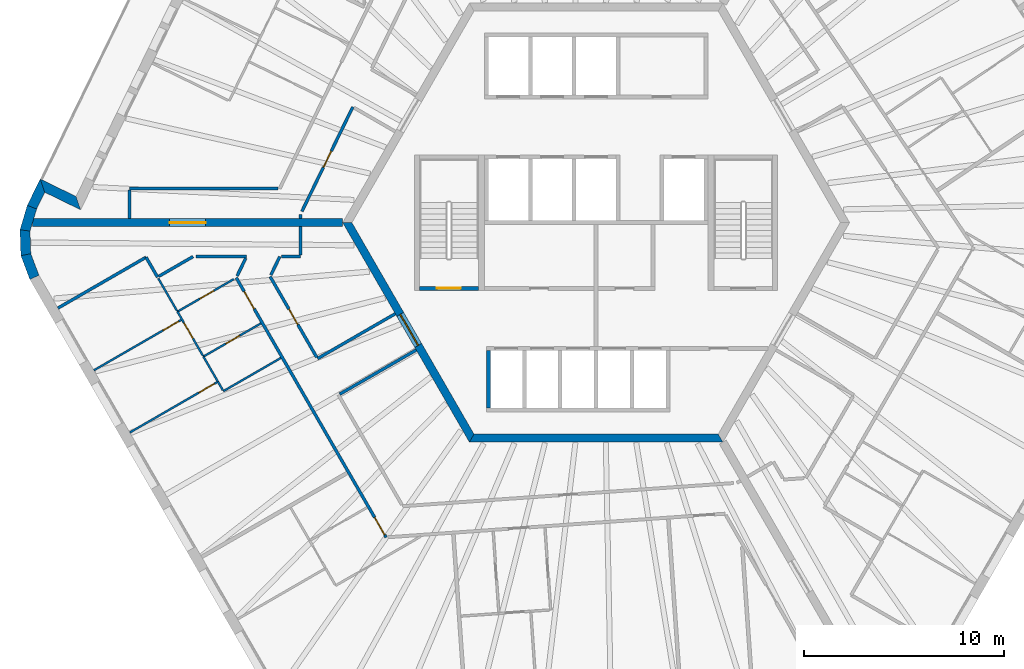
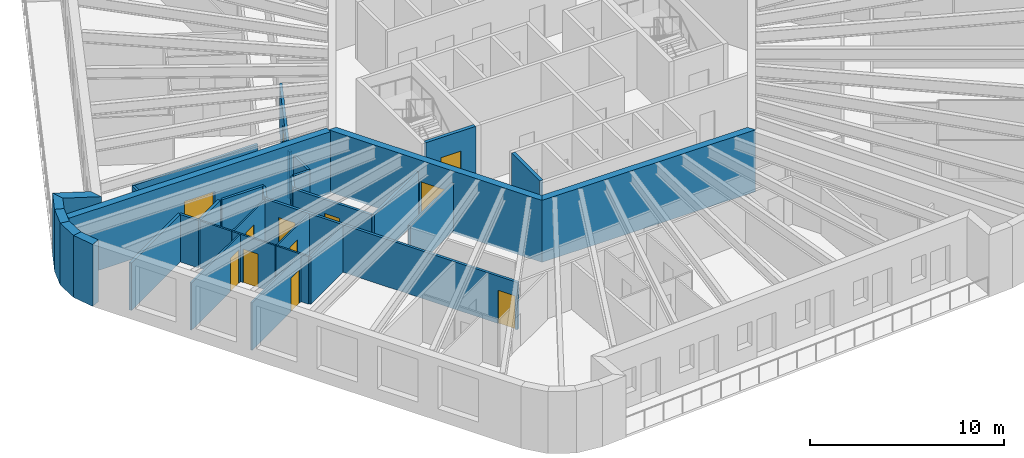
# One storey, part 4 of 12: 35 walls, 12 doors, 12 openings.
"""IFC4 building model written with IfcOpenShell, lengths in metres."""

from ifc_helpers import new_model, si_unit, direction, frame, frame_2d, origin, place, context, subcontext, project, spatial, polyline, rectangle, outline, extrude, material, layer, layer_set, type_object, element, fill, save


model = new_model("IFC4")

# Units and contexts
model_context = context("Model", 3, precision=1e-05, world=origin(), true_north=direction((0.0, 1.0)))
body_context = subcontext(model_context, "Body", "Model", "MODEL_VIEW")
ifc_project = project(units=[si_unit("LENGTHUNIT", "METRE"), si_unit("AREAUNIT", "SQUARE_METRE"), si_unit("VOLUMEUNIT", "CUBIC_METRE"), si_unit("PLANEANGLEUNIT", "RADIAN"), si_unit("MASSUNIT", "GRAM", prefix="KILO")], contexts=[model_context])

# Site, building, storey
site_placement = place(None, origin())
site = spatial("IfcSite", under=ifc_project, at=site_placement, CompositionType="ELEMENT")
building_placement = place(site_placement, origin())
building = spatial("IfcBuilding", under=site, at=building_placement, Name="Tarnside Tower", CompositionType="ELEMENT")
storey_placement = place(building_placement, frame((0.0, 0.0, 306.89990234375)))
storey = spatial("IfcBuildingStorey", under=building, at=storey_placement, Name="L74", CompositionType="ELEMENT", Elevation=306.89990234375)

# Walls
ifc_material_1 = material(Name="Gypsum board partition on steel studs", Category="steel")
ifc_layer_1 = layer(ifc_material_1, 0.10009765625)
ifc_layer_set_1 = layer_set([ifc_layer_1], Name="Bathroom wall 100")
wall_type_1 = type_object("IfcWallType", Name="Bathroom wall 100", PredefinedType="PARTITIONING", material=ifc_layer_set_1)
wall_1_placement = place(storey_placement, frame((-15.80078125, -6.782470703125, 0.0), z_axis=(0.0, 0.0, 1.0), x_axis=(-0.866033959199, -0.499985181294, 0.0)))
element("IfcWall", 1, at=wall_1_placement, inside=storey, type_object=wall_type_1, Name="Bathroom wall 24113", PredefinedType="PARTITIONING", context=body_context, shape_type="SweptSolid", body=[
    extrude(rectangle(XDim=3.32470703125, YDim=0.10009765625, at=frame_2d((1.662353515625, 0.0))), origin(), (0.0, 0.0, 1.0), 2.98779296875),
])
wall_2_placement = place(storey_placement, frame((-18.705322265625, -8.401611328125, 0.0), z_axis=(0.0, 0.0, 1.0), x_axis=(-0.499863173377, 0.866104386261, 0.0)))
element("IfcWall", 2, at=wall_2_placement, inside=storey, type_object=wall_type_1, Name="Bathroom wall 24114", PredefinedType="PARTITIONING", context=body_context, shape_type="SweptSolid", body=[
    extrude(rectangle(XDim=0.500732421875, YDim=0.10009765625, at=frame_2d((0.25048828125, 0.0))), origin(), (0.0, 0.0, 1.0), 2.98779296875),
])

# Wall, opening, door
wall_3_placement = place(storey_placement, frame((-19.68017578125, -6.712890625, 0.0), z_axis=(0.0, 0.0, 1.0), x_axis=(0.866002163101, 0.500040251884, 0.0)))
wall_3 = element("IfcWall", 3, at=wall_3_placement, inside=storey, type_object=wall_type_1, Name="Bathroom wall 24118", PredefinedType="PARTITIONING", context=body_context, shape_type="SweptSolid", body=[
    extrude(rectangle(XDim=3.324951171875, YDim=0.10009765625, at=frame_2d((1.66259765625, 0.0))), origin(), (0.0, 0.0, 1.0), 2.98779296875),
])
opening_1_placement = place(wall_3_placement, frame((1.300048828125, 0.0, 0.0)))
opening_1 = element("IfcOpeningElement", 4, at=opening_1_placement, cuts=wall_3, Name="Opening D-B1", PredefinedType="OPENING", context=body_context, shape_type="SweptSolid", body=[
    extrude(rectangle(XDim=0.800048828125, YDim=2.10009765625, at=frame_2d((0.39990234375, 1.050048828125))), frame((0.0, 0.06005859375, 0.0), z_axis=(0.0, -1.0, 0.0), x_axis=(1.0, 0.0, 0.0)), (0.0, 0.0, 1.0), 0.1201171875),
])
ifc_material_2 = material(Name="Timber door leaf", Category="wood")
door_type_1 = type_object("IfcDoorType", Name="Bathroom door 800", OperationType="NOTDEFINED", PredefinedType="DOOR", material=ifc_material_2)
door_1_placement = place(opening_1_placement, origin())
door_1 = element("IfcDoor", 5, at=door_1_placement, inside=storey, type_object=door_type_1, Name="Bathroom door 24023", OperationType="SINGLE_SWING_LEFT", OverallHeight=2.10009765625, OverallWidth=0.800048828125, PredefinedType="DOOR", context=body_context, shape_type="SweptSolid", body=[
    extrude(rectangle(XDim=0.800048828125, YDim=2.10009765625, at=frame_2d((0.39990234375, 1.050048828125))), frame((0.0, 0.02490234375, 0.0), z_axis=(0.0, -1.0, 0.0), x_axis=(1.0, 0.0, 0.0)), (0.0, 0.0, 1.0), 0.050048828125),
])
fill(opening_1, door_1)

wall_4_placement = place(storey_placement, frame((-18.15185546875, -2.828125, 0.0), z_axis=(0.0, 0.0, 1.0), x_axis=(-0.866012548765, -0.500022264885, 0.0)))
wall_4 = element("IfcWall", 6, at=wall_4_placement, inside=storey, type_object=wall_type_1, Name="Bathroom wall 24121", PredefinedType="PARTITIONING", context=body_context, shape_type="SweptSolid", body=[
    extrude(rectangle(XDim=3.265869140625, YDim=0.10009765625, at=frame_2d((1.6328125, 0.0))), origin(), (0.0, 0.0, 1.0), 2.98779296875),
])
opening_2_placement = place(wall_4_placement, frame((1.165771484375, 0.0, 0.0)))
opening_2 = element("IfcOpeningElement", 7, at=opening_2_placement, cuts=wall_4, Name="Opening D-B1", PredefinedType="OPENING", context=body_context, shape_type="SweptSolid", body=[
    extrude(rectangle(XDim=0.800048828125, YDim=2.10009765625, at=frame_2d((0.39990234375, 1.050048828125))), frame((0.0, 0.06005859375, 0.0), z_axis=(0.0, -1.0, 0.0), x_axis=(1.0, 0.0, 0.0)), (0.0, 0.0, 1.0), 0.1201171875),
])
door_2_placement = place(opening_2_placement, origin())
door_2 = element("IfcDoor", 8, at=door_2_placement, inside=storey, type_object=door_type_1, Name="Bathroom door 24032", OperationType="SINGLE_SWING_RIGHT", OverallHeight=2.10009765625, OverallWidth=0.800048828125, PredefinedType="DOOR", context=body_context, shape_type="SweptSolid", body=[
    extrude(rectangle(XDim=0.800048828125, YDim=2.10009765625, at=frame_2d((0.39990234375, 1.050048828125))), frame((0.0, 0.02490234375, 0.0), z_axis=(0.0, -1.0, 0.0), x_axis=(1.0, 0.0, 0.0)), (0.0, 0.0, 1.0), 0.050048828125),
])
fill(opening_2, door_2)

# Walls
wall_5_placement = place(storey_placement, frame((-19.68115234375, -6.711181640625, 0.0), z_axis=(0.0, 0.0, 1.0), x_axis=(0.499969679245, -0.866042908773, 0.0)))
element("IfcWall", 9, at=wall_5_placement, inside=storey, type_object=wall_type_1, Name="Bathroom wall 24122", PredefinedType="PARTITIONING", context=body_context, shape_type="SweptSolid", body=[
    extrude(rectangle(XDim=1.453125, YDim=0.10009765625, at=frame_2d((0.7265625, 0.0))), origin(), (0.0, 0.0, 1.0), 2.98779296875),
])
wall_6_placement = place(storey_placement, frame((-21.005126953125, -4.41796875, 0.0), z_axis=(0.0, 0.0, 1.0), x_axis=(-0.500004234368, 0.866022959057, 0.0)))
element("IfcWall", 10, at=wall_6_placement, inside=storey, type_object=wall_type_1, Name="Bathroom wall 24124", PredefinedType="PARTITIONING", context=body_context, shape_type="SweptSolid", body=[
    extrude(rectangle(XDim=1.875, YDim=0.10009765625, at=frame_2d((0.9375, 0.0))), origin(), (0.0, 0.0, 1.0), 2.98779296875),
])

# Wall, opening, door
ifc_material_3 = material(Name="Concrete C60/75", Category="concrete")
ifc_layer_2 = layer(ifc_material_3, 0.39990234375)
ifc_layer_set_2 = layer_set([ifc_layer_2], Name="Core wall Z3 400 C60/75")
wall_type_2 = type_object("IfcWallType", Name="Core wall Z3 400 C60/75", PredefinedType="SHEAR", material=ifc_layer_set_2)
wall_7_placement = place(storey_placement, frame((-12.470703125, 0.0, -0.14990234375), z_axis=(0.0, 0.0, 1.0), x_axis=(0.499996419489, -0.866027470984, 0.0)))
wall_7 = element("IfcWall", 11, at=wall_7_placement, inside=storey, type_object=wall_type_2, Name="L74 core wall face 3", PredefinedType="SHEAR", context=body_context, shape_type="SweptSolid", body=[
    extrude(outline(polyline([(-0.115478515625, -0.199951171875), (12.586181640625, -0.199951171875), (12.355224609375, 0.199951171875), (0.115478515625, 0.199951171875), (-0.115478515625, -0.199951171875)])), origin(), (0.0, 0.0, 1.0), 3.89990234375),
])
opening_3_placement = place(wall_7_placement, frame((5.306396484375, 0.0, 0.14990234375)))
opening_3 = element("IfcOpeningElement", 12, at=opening_3_placement, cuts=wall_7, Name="Opening CD-FFL", PredefinedType="OPENING", context=body_context, shape_type="SweptSolid", body=[
    extrude(rectangle(XDim=1.800048828125, YDim=2.39990234375, at=frame_2d((0.89990234375, 1.199951171875))), frame((0.0, 0.2099609375, 0.0), z_axis=(0.0, -1.0, 0.0), x_axis=(1.0, 0.0, 0.0)), (0.0, 0.0, 1.0), 0.419921875),
])
ifc_material_4 = material(Name="Steel fire door", Category="steel")
door_type_2 = type_object("IfcDoorType", Name="Firefighting lobby double door FD60S 1800x2400", OperationType="NOTDEFINED", PredefinedType="DOOR", material=ifc_material_4)
door_3_placement = place(opening_3_placement, origin())
door_3 = element("IfcDoor", 13, at=door_3_placement, inside=storey, type_object=door_type_2, Name="L74 core door P3", OperationType="DOUBLE_DOOR_SINGLE_SWING", OverallHeight=2.39990234375, OverallWidth=1.800048828125, PredefinedType="DOOR", context=body_context, shape_type="SweptSolid", body=[
    extrude(rectangle(XDim=1.800048828125, YDim=2.39990234375, at=frame_2d((0.89990234375, 1.199951171875))), frame((0.0, 0.02490234375, 0.0), z_axis=(0.0, -1.0, 0.0), x_axis=(1.0, 0.0, 0.0)), (0.0, 0.0, 1.0), 0.050048828125),
])
fill(opening_3, door_3)

# Wall
wall_8_placement = place(storey_placement, frame((-6.2353515625, -10.800048828125, -0.14990234375), z_axis=(0.0, 0.0, 1.0), x_axis=(1.0, 0.0, 0.0)))
element("IfcWall", 14, at=wall_8_placement, inside=storey, type_object=wall_type_2, Name="L74 core wall face 4", PredefinedType="SHEAR", context=body_context, shape_type="SweptSolid", body=[
    extrude(outline(polyline([(-0.115478515625, -0.199951171875), (12.586181640625, -0.199951171875), (12.355224609375, 0.199951171875), (0.115478515625, 0.199951171875), (-0.115478515625, -0.199951171875)])), origin(), (0.0, 0.0, 1.0), 3.89990234375),
])

# Wall, opening, door
wall_9_placement = place(storey_placement, frame((-12.70166015625, 0.0, -0.14990234375), z_axis=(0.0, 0.0, 1.0), x_axis=(-1.0, 0.0, 0.0)))
wall_9 = element("IfcWall", 15, at=wall_9_placement, inside=storey, type_object=wall_type_2, Name="L74 spine wall 2", PredefinedType="SHEAR", context=body_context, shape_type="SweptSolid", body=[
    extrude(rectangle(XDim=15.54443359375, YDim=0.39990234375, at=frame_2d((7.772216796875, 0.0))), origin(), (0.0, 0.0, 1.0), 3.89990234375),
])
opening_4_placement = place(wall_9_placement, frame((6.872314453125, 0.0, 0.14990234375)))
opening_4 = element("IfcOpeningElement", 16, at=opening_4_placement, cuts=wall_9, Name="Opening CD-SPN", PredefinedType="OPENING", context=body_context, shape_type="SweptSolid", body=[
    extrude(rectangle(XDim=1.800048828125, YDim=2.39990234375, at=frame_2d((0.89990234375, 1.199951171875))), frame((0.0, 0.2099609375, 0.0), z_axis=(0.0, -1.0, 0.0), x_axis=(1.0, 0.0, 0.0)), (0.0, 0.0, 1.0), 0.419921875),
])
door_type_3 = type_object("IfcDoorType", Name="Spine passage double door FD60 1800x2400", OperationType="NOTDEFINED", PredefinedType="DOOR", material=ifc_material_4)
door_4_placement = place(opening_4_placement, origin())
door_4 = element("IfcDoor", 17, at=door_4_placement, inside=storey, type_object=door_type_3, Name="L74 spine passage door 2", OperationType="DOUBLE_DOOR_SINGLE_SWING", OverallHeight=2.39990234375, OverallWidth=1.800048828125, PredefinedType="DOOR", context=body_context, shape_type="SweptSolid", body=[
    extrude(rectangle(XDim=1.800048828125, YDim=2.39990234375, at=frame_2d((0.89990234375, 1.199951171875))), frame((0.0, 0.02490234375, 0.0), z_axis=(0.0, -1.0, 0.0), x_axis=(1.0, 0.0, 0.0)), (0.0, 0.0, 1.0), 0.050048828125),
])
fill(opening_4, door_4)

# Walls
ifc_layer_3 = layer(ifc_material_1, 0.14990234375)
ifc_layer_set_3 = layer_set([ifc_layer_3], Name="Corridor wall 150 EI 60")
wall_type_3 = type_object("IfcWallType", Name="Corridor wall 150 EI 60", PredefinedType="PARTITIONING", material=ifc_layer_set_3)
wall_10_placement = place(storey_placement, frame((-15.943359375, 1.699951171875, 0.0), z_axis=(0.0, 0.0, 1.0), x_axis=(-1.0, 0.0, 0.0)))
element("IfcWall", 18, at=wall_10_placement, inside=storey, type_object=wall_type_3, Name="Corridor wall 24013", PredefinedType="PARTITIONING", context=body_context, shape_type="SweptSolid", body=[
    extrude(rectangle(XDim=7.4306640625, YDim=0.14990234375, at=frame_2d((3.71533203125, 0.0))), origin(), (0.0, 0.0, 1.0), 2.98779296875),
])
wall_11_placement = place(storey_placement, frame((-23.3740234375, 1.625, 0.0), z_axis=(0.0, 0.0, 1.0), x_axis=(0.0, -1.0, 0.0)))
element("IfcWall", 19, at=wall_11_placement, inside=storey, type_object=wall_type_3, Name="Corridor wall 24014", PredefinedType="PARTITIONING", context=body_context, shape_type="SweptSolid", body=[
    extrude(rectangle(XDim=1.425048828125, YDim=0.14990234375, at=frame_2d((0.71240234375, 0.0))), origin(), (0.0, 0.0, 1.0), 2.98779296875),
])
wall_12_placement = place(storey_placement, frame((-14.820068359375, 0.199951171875, 0.0), z_axis=(0.0, 0.0, 1.0), x_axis=(0.0, 1.0, 0.0)))
element("IfcWall", 20, at=wall_12_placement, inside=storey, type_object=wall_type_3, Name="Corridor wall 24023", PredefinedType="PARTITIONING", context=body_context, shape_type="SweptSolid", body=[
    extrude(rectangle(XDim=0.210205078125, YDim=0.14990234375, at=frame_2d((0.10498046875, 0.0))), origin(), (0.0, 0.0, 1.0), 2.98779296875),
])

# Wall, opening, door
wall_13_placement = place(storey_placement, frame((-14.7451171875, 0.563720703125, 0.0), z_axis=(0.0, 0.0, 1.0), x_axis=(0.438348416625, 0.898805132185, 0.0)))
wall_13 = element("IfcWall", 21, at=wall_13_placement, inside=storey, type_object=wall_type_3, Name="Corridor wall 24024", PredefinedType="PARTITIONING", context=body_context, shape_type="SweptSolid", body=[
    extrude(rectangle(XDim=5.819580078125, YDim=0.14990234375, at=frame_2d((2.90966796875, 0.0))), origin(), (0.0, 0.0, 1.0), 2.98779296875),
])
opening_5_placement = place(wall_13_placement, frame((2.459716796875, 0.0, 0.0)))
opening_5 = element("IfcOpeningElement", 22, at=opening_5_placement, cuts=wall_13, Name="Opening D-S1", PredefinedType="OPENING", context=body_context, shape_type="SweptSolid", body=[
    extrude(rectangle(XDim=0.89990234375, YDim=2.10009765625, at=frame_2d((0.449951171875, 1.050048828125))), frame((0.0, 0.0849609375, 0.0), z_axis=(0.0, -1.0, 0.0), x_axis=(1.0, 0.0, 0.0)), (0.0, 0.0, 1.0), 0.169921875),
])
door_type_4 = type_object("IfcDoorType", Name="Service room door 900 FD30S", OperationType="NOTDEFINED", PredefinedType="DOOR", material=ifc_material_2)
door_5_placement = place(opening_5_placement, origin())
door_5 = element("IfcDoor", 23, at=door_5_placement, inside=storey, type_object=door_type_4, Name="Service door 24064", OperationType="SINGLE_SWING_RIGHT", OverallHeight=2.10009765625, OverallWidth=0.89990234375, PredefinedType="DOOR", context=body_context, shape_type="SweptSolid", body=[
    extrude(rectangle(XDim=0.89990234375, YDim=2.10009765625, at=frame_2d((0.449951171875, 1.050048828125))), frame((0.0, 0.02490234375, 0.0), z_axis=(0.0, -1.0, 0.0), x_axis=(1.0, 0.0, 0.0)), (0.0, 0.0, 1.0), 0.050048828125),
])
fill(opening_5, door_5)

# Wall, openings, doors
wall_14_placement = place(storey_placement, frame((-18.03564453125, -2.76123046875, 0.0), z_axis=(0.0, 0.0, 1.0), x_axis=(0.499996279807, -0.866027551628, 0.0)))
wall_14 = element("IfcWall", 24, at=wall_14_placement, inside=storey, type_object=wall_type_3, Name="Corridor wall 24026", PredefinedType="PARTITIONING", context=body_context, shape_type="SweptSolid", body=[
    extrude(rectangle(XDim=15.02392578125, YDim=0.14990234375, at=frame_2d((7.511962890625, 0.0))), origin(), (0.0, 0.0, 1.0), 2.98779296875),
])
opening_6_placement = place(wall_14_placement, frame((0.800048828125, 0.0, 0.0)))
opening_6 = element("IfcOpeningElement", 25, at=opening_6_placement, cuts=wall_14, Name="Opening D-E1", PredefinedType="OPENING", context=body_context, shape_type="SweptSolid", body=[
    extrude(rectangle(XDim=1.0, YDim=2.10009765625, at=frame_2d((0.5, 1.050048828125))), frame((0.0, 0.0849609375, 0.0), z_axis=(0.0, -1.0, 0.0), x_axis=(1.0, 0.0, 0.0)), (0.0, 0.0, 1.0), 0.169921875),
])
opening_7_placement = place(wall_14_placement, frame((13.874267578125, 0.0, 0.0)))
opening_7 = element("IfcOpeningElement", 26, at=opening_7_placement, cuts=wall_14, Name="Opening D-E1", PredefinedType="OPENING", context=body_context, shape_type="SweptSolid", body=[
    extrude(rectangle(XDim=1.0, YDim=2.10009765625, at=frame_2d((0.5, 1.050048828125))), frame((0.0, 0.0849609375, 0.0), z_axis=(0.0, -1.0, 0.0), x_axis=(1.0, 0.0, 0.0)), (0.0, 0.0, 1.0), 0.169921875),
])
door_type_5 = type_object("IfcDoorType", Name="Unit entrance door 1000 FD30S", OperationType="NOTDEFINED", PredefinedType="DOOR", material=ifc_material_2)
door_6_placement = place(opening_6_placement, origin())
door_6 = element("IfcDoor", 27, at=door_6_placement, inside=storey, type_object=door_type_5, Name="Unit door 24022", OperationType="SINGLE_SWING_RIGHT", OverallHeight=2.10009765625, OverallWidth=1.0, PredefinedType="DOOR", context=body_context, shape_type="SweptSolid", body=[
    extrude(rectangle(XDim=1.0, YDim=2.10009765625, at=frame_2d((0.5, 1.050048828125))), frame((0.0, 0.02490234375, 0.0), z_axis=(0.0, -1.0, 0.0), x_axis=(1.0, 0.0, 0.0)), (0.0, 0.0, 1.0), 0.050048828125),
])
fill(opening_6, door_6)
door_7_placement = place(opening_7_placement, origin())
door_7 = element("IfcDoor", 28, at=door_7_placement, inside=storey, type_object=door_type_5, Name="Unit door 24033", OperationType="SINGLE_SWING_LEFT", OverallHeight=2.10009765625, OverallWidth=1.0, PredefinedType="DOOR", context=body_context, shape_type="SweptSolid", body=[
    extrude(rectangle(XDim=1.0, YDim=2.10009765625, at=frame_2d((0.5, 1.050048828125))), frame((0.0, 0.02490234375, 0.0), z_axis=(0.0, -1.0, 0.0), x_axis=(1.0, 0.0, 0.0)), (0.0, 0.0, 1.0), 0.050048828125),
])
fill(opening_7, door_7)

# Walls
wall_15_placement = place(storey_placement, frame((-26.97119140625, -4.284423828125, 0.0), z_axis=(0.0, 0.0, 1.0), x_axis=(0.866024511559, 0.500001545377, 0.0)))
element("IfcWall", 29, at=wall_15_placement, inside=storey, type_object=wall_type_3, Name="Corridor wall 24029", PredefinedType="PARTITIONING", context=body_context, shape_type="SweptSolid", body=[
    extrude(rectangle(XDim=5.0986328125, YDim=0.14990234375, at=frame_2d((2.54931640625, 0.0))), origin(), (0.0, 0.0, 1.0), 2.98779296875),
])
wall_16_placement = place(storey_placement, frame((-22.553955078125, -1.735595703125, 0.0), z_axis=(0.0, 0.0, 1.0), x_axis=(0.500040764516, -0.866001867101, 0.0)))
element("IfcWall", 30, at=wall_16_placement, inside=storey, type_object=wall_type_3, Name="Corridor wall 24030", PredefinedType="PARTITIONING", context=body_context, shape_type="SweptSolid", body=[
    extrude(rectangle(XDim=1.15087890625, YDim=0.14990234375, at=frame_2d((0.575439453125, 0.0))), origin(), (0.0, 0.0, 1.0), 2.98779296875),
])
wall_17_placement = place(storey_placement, frame((-21.915283203125, -2.691650390625, 0.0), z_axis=(0.0, 0.0, 1.0), x_axis=(0.866007234284, 0.500031469177, 0.0)))
element("IfcWall", 31, at=wall_17_placement, inside=storey, type_object=wall_type_3, Name="Corridor wall 24031", PredefinedType="PARTITIONING", context=body_context, shape_type="SweptSolid", body=[
    extrude(rectangle(XDim=1.983154296875, YDim=0.14990234375, at=frame_2d((0.99169921875, 0.0))), origin(), (0.0, 0.0, 1.0), 2.98779296875),
])
wall_18_placement = place(storey_placement, frame((-20.0478515625, -1.699951171875, 0.0), z_axis=(0.0, 0.0, 1.0), x_axis=(1.0, 0.0, 0.0)))
element("IfcWall", 32, at=wall_18_placement, inside=storey, type_object=wall_type_3, Name="Corridor wall 24032", PredefinedType="PARTITIONING", context=body_context, shape_type="SweptSolid", body=[
    extrude(rectangle(XDim=2.52978515625, YDim=0.14990234375, at=frame_2d((1.264892578125, 0.0))), origin(), (0.0, 0.0, 1.0), 2.98779296875),
])
wall_19_placement = place(storey_placement, frame((-17.5546875, -1.77490234375, 0.0), z_axis=(0.0, 0.0, 1.0), x_axis=(-0.438366307753, -0.898796406439, 0.0)))
element("IfcWall", 33, at=wall_19_placement, inside=storey, type_object=wall_type_3, Name="Corridor wall 24033", PredefinedType="PARTITIONING", context=body_context, shape_type="SweptSolid", body=[
    extrude(rectangle(XDim=1.0068359375, YDim=0.14990234375, at=frame_2d((0.50341796875, 0.0))), origin(), (0.0, 0.0, 1.0), 2.98779296875),
])
wall_20_placement = place(storey_placement, frame((-10.065673828125, -4.565673828125, 0.0), z_axis=(0.0, 0.0, 1.0), x_axis=(-0.866031096941, -0.499990139034, 0.0)))
element("IfcWall", 34, at=wall_20_placement, inside=storey, type_object=wall_type_3, Name="Corridor wall 24045", PredefinedType="PARTITIONING", context=body_context, shape_type="SweptSolid", body=[
    extrude(rectangle(XDim=4.5, YDim=0.14990234375, at=frame_2d((2.25, 0.0))), origin(), (0.0, 0.0, 1.0), 2.98779296875),
])

# Wall, opening, door
wall_21_placement = place(storey_placement, frame((-14.000244140625, -6.750732421875, 0.0), z_axis=(0.0, 0.0, 1.0), x_axis=(-0.500008739126, 0.866020358189, 0.0)))
wall_21 = element("IfcWall", 35, at=wall_21_placement, inside=storey, type_object=wall_type_3, Name="Corridor wall 24046", PredefinedType="PARTITIONING", context=body_context, shape_type="SweptSolid", body=[
    extrude(rectangle(XDim=4.67529296875, YDim=0.14990234375, at=frame_2d((2.337646484375, 0.0))), origin(), (0.0, 0.0, 1.0), 2.98779296875),
])
opening_8_placement = place(wall_21_placement, frame((1.8876953125, 0.0, 0.0)))
opening_8 = element("IfcOpeningElement", 36, at=opening_8_placement, cuts=wall_21, Name="Opening D-S1", PredefinedType="OPENING", context=body_context, shape_type="SweptSolid", body=[
    extrude(rectangle(XDim=0.89990234375, YDim=2.10009765625, at=frame_2d((0.449951171875, 1.050048828125))), frame((0.0, 0.0849609375, 0.0), z_axis=(0.0, -1.0, 0.0), x_axis=(1.0, 0.0, 0.0)), (0.0, 0.0, 1.0), 0.169921875),
])
door_8_placement = place(opening_8_placement, origin())
door_8 = element("IfcDoor", 37, at=door_8_placement, inside=storey, type_object=door_type_4, Name="Service door 24065", OperationType="SINGLE_SWING_RIGHT", OverallHeight=2.10009765625, OverallWidth=0.89990234375, PredefinedType="DOOR", context=body_context, shape_type="SweptSolid", body=[
    extrude(rectangle(XDim=0.89990234375, YDim=2.10009765625, at=frame_2d((0.449951171875, 1.050048828125))), frame((0.0, 0.02490234375, 0.0), z_axis=(0.0, -1.0, 0.0), x_axis=(1.0, 0.0, 0.0)), (0.0, 0.0, 1.0), 0.050048828125),
])
fill(opening_8, door_8)

# Walls
wall_22_placement = place(storey_placement, frame((-16.29833984375, -2.62060546875, 0.0), z_axis=(0.0, 0.0, 1.0), x_axis=(0.438325013788, 0.898816545402, 0.0)))
element("IfcWall", 38, at=wall_22_placement, inside=storey, type_object=wall_type_3, Name="Corridor wall 24047", PredefinedType="PARTITIONING", context=body_context, shape_type="SweptSolid", body=[
    extrude(rectangle(XDim=1.0244140625, YDim=0.14990234375, at=frame_2d((0.51220703125, 0.0))), origin(), (0.0, 0.0, 1.0), 2.98779296875),
])
wall_23_placement = place(storey_placement, frame((-15.765869140625, -1.699951171875, 0.0), z_axis=(0.0, 0.0, 1.0), x_axis=(1.0, 0.0, 0.0)))
element("IfcWall", 39, at=wall_23_placement, inside=storey, type_object=wall_type_3, Name="Corridor wall 24048", PredefinedType="PARTITIONING", context=body_context, shape_type="SweptSolid", body=[
    extrude(rectangle(XDim=0.94580078125, YDim=0.14990234375, at=frame_2d((0.472900390625, 0.0))), origin(), (0.0, 0.0, 1.0), 2.98779296875),
])
wall_24_placement = place(storey_placement, frame((-14.820068359375, -1.625, 0.0), z_axis=(0.0, 0.0, 1.0), x_axis=(0.0, 1.0, 0.0)))
element("IfcWall", 40, at=wall_24_placement, inside=storey, type_object=wall_type_3, Name="Corridor wall 24049", PredefinedType="PARTITIONING", context=body_context, shape_type="SweptSolid", body=[
    extrude(rectangle(XDim=1.425048828125, YDim=0.14990234375, at=frame_2d((0.71240234375, 0.0))), origin(), (0.0, 0.0, 1.0), 2.98779296875),
])
wall_25_placement = place(storey_placement, frame((-12.847900390625, -8.596923828125, 0.0), z_axis=(0.0, 0.0, 1.0), x_axis=(0.866017452598, 0.500013771606, 0.0)))
element("IfcWall", 41, at=wall_25_placement, inside=storey, type_object=wall_type_3, Name="Corridor wall 24053", PredefinedType="PARTITIONING", context=body_context, shape_type="SweptSolid", body=[
    extrude(rectangle(XDim=4.42529296875, YDim=0.14990234375, at=frame_2d((2.212646484375, 0.0))), origin(), (0.0, 0.0, 1.0), 2.98779296875),
])
ifc_material_5 = material(Name="Concrete C40/50", Category="concrete")
ifc_layer_4 = layer(ifc_material_5, 0.199951171875)
ifc_layer_set_4 = layer_set([ifc_layer_4], Name="Lift shaft wall 200 C40/50")
wall_type_4 = type_object("IfcWallType", Name="Lift shaft wall 200 C40/50", PredefinedType="SHEAR", material=ifc_layer_set_4)
wall_26_placement = place(storey_placement, frame((-5.39990234375, -9.300048828125, -0.25), z_axis=(0.0, 0.0, 1.0), x_axis=(0.0, 1.0, 0.0)))
element("IfcWall", 42, at=wall_26_placement, inside=storey, type_object=wall_type_4, Name="L74 lift shaft partition R41", PredefinedType="SHEAR", context=body_context, shape_type="SweptSolid", body=[
    extrude(rectangle(XDim=2.900146484375, YDim=0.199951171875, at=frame_2d((1.4501953125, 0.0))), origin(), (0.0, 0.0, 1.0), 3.900146484375),
])

# Wall, opening, door
wall_27_placement = place(storey_placement, frame((-8.85009765625, -3.300048828125, -0.25), z_axis=(0.0, 0.0, 1.0), x_axis=(1.0, 0.0, 0.0)))
wall_27 = element("IfcWall", 43, at=wall_27_placement, inside=storey, type_object=wall_type_4, Name="L74 stair 2 enclosure cap wall s", PredefinedType="SHEAR", context=body_context, shape_type="SweptSolid", body=[
    extrude(rectangle(XDim=2.9501953125, YDim=0.199951171875, at=frame_2d((1.47509765625, 0.0))), origin(), (0.0, 0.0, 1.0), 3.900146484375),
])
opening_9_placement = place(wall_27_placement, frame((0.875, 0.0, 0.25)))
opening_9 = element("IfcOpeningElement", 44, at=opening_9_placement, cuts=wall_27, Name="Opening CD-STR", PredefinedType="OPENING", context=body_context, shape_type="SweptSolid", body=[
    extrude(rectangle(XDim=1.199951171875, YDim=2.39990234375, at=frame_2d((0.60009765625, 1.199951171875))), frame((0.0, 0.10986328125, 0.0), z_axis=(0.0, -1.0, 0.0), x_axis=(1.0, 0.0, 0.0)), (0.0, 0.0, 1.0), 0.219970703125),
])
door_type_6 = type_object("IfcDoorType", Name="Stair door FD60S 1200x2400", OperationType="NOTDEFINED", PredefinedType="DOOR", material=ifc_material_4)
door_9_placement = place(opening_9_placement, origin())
door_9 = element("IfcDoor", 45, at=door_9_placement, inside=storey, type_object=door_type_6, Name="L74 stair 2 door", OperationType="SINGLE_SWING_LEFT", OverallHeight=2.39990234375, OverallWidth=1.199951171875, PredefinedType="DOOR", context=body_context, shape_type="SweptSolid", body=[
    extrude(rectangle(XDim=1.199951171875, YDim=2.39990234375, at=frame_2d((0.60009765625, 1.199951171875))), frame((0.0, 0.02490234375, 0.0), z_axis=(0.0, -1.0, 0.0), x_axis=(1.0, 0.0, 0.0)), (0.0, 0.0, 1.0), 0.050048828125),
])
fill(opening_9, door_9)

# Walls
ifc_material_6 = material(Name="Dark zinc cladding")
ifc_layer_5 = layer(ifc_material_6, 0.10205078125)
ifc_material_7 = material(Name="Concrete C60/75 precast", Category="concrete")
ifc_layer_6 = layer(ifc_material_7, 0.298095703125)
ifc_material_8 = material(Name="Mineral wool insulation")
ifc_layer_7 = layer(ifc_material_8, 0.10009765625)
ifc_layer_set_5 = layer_set([ifc_layer_5, ifc_layer_6, ifc_layer_7], Name="Loggia wall 500 zinc faced")
wall_type_5 = type_object("IfcWallType", Name="Loggia wall 500 zinc faced", PredefinedType="SOLIDWALL", material=ifc_layer_set_5)
wall_28_placement = place(storey_placement, frame((-25.9482421875, 0.97607421875, -0.14990234375), z_axis=(0.0, 0.0, 1.0), x_axis=(-0.898802465371, 0.438353884714, 0.0)))
element("IfcWall", 46, at=wall_28_placement, inside=storey, type_object=wall_type_5, Name="Tube wall L74 F2 return 07", PredefinedType="SOLIDWALL", context=body_context, shape_type="SweptSolid", body=[
    extrude(outline(polyline([(0.25, -0.25), (2.25, -0.25), (1.75, 0.25), (-0.25, 0.25), (0.25, -0.25)])), origin(), (0.0, 0.0, 1.0), 3.89990234375),
])
wall_29_placement = place(storey_placement, frame((-27.745849609375, 1.852783203125, -0.14990234375), z_axis=(0.0, 0.0, 1.0), x_axis=(-0.438319390103, -0.898819287877, 0.0)))
element("IfcWall", 47, at=wall_29_placement, inside=storey, type_object=wall_type_5, Name="Tube wall L74 F2 stub 08", PredefinedType="SOLIDWALL", context=body_context, shape_type="SweptSolid", body=[
    extrude(outline(polyline([(-0.25, -0.25), (1.22021484375, -0.25), (1.17919921875, 0.25), (0.25, 0.25), (-0.25, -0.25)])), origin(), (0.0, 0.0, 1.0), 3.89990234375),
])

# Wall, opening, door
ifc_layer_8 = layer(ifc_material_1, 0.10009765625)
ifc_layer_set_6 = layer_set([ifc_layer_8], Name="Partition 100")
wall_type_6 = type_object("IfcWallType", Name="Partition 100", PredefinedType="PARTITIONING", material=ifc_layer_set_6)
wall_30_placement = place(storey_placement, frame((-18.997802734375, -7.994873046875, 0.0), z_axis=(0.0, 0.0, 1.0), x_axis=(-0.866039067339, -0.499976333282, 0.0)))
wall_30 = element("IfcWall", 48, at=wall_30_placement, inside=storey, type_object=wall_type_6, Name="Partition wall 24115", PredefinedType="PARTITIONING", context=body_context, shape_type="SweptSolid", body=[
    extrude(rectangle(XDim=5.050048828125, YDim=0.10009765625, at=frame_2d((2.52490234375, 0.0))), origin(), (0.0, 0.0, 1.0), 2.98779296875),
])
opening_10_placement = place(wall_30_placement, frame((0.14990234375, 0.0, 0.0)))
opening_10 = element("IfcOpeningElement", 49, at=opening_10_placement, cuts=wall_30, Name="Opening D-I1", PredefinedType="OPENING", context=body_context, shape_type="SweptSolid", body=[
    extrude(rectangle(XDim=0.89990234375, YDim=2.10009765625, at=frame_2d((0.449951171875, 1.050048828125))), frame((0.0, 0.06005859375, 0.0), z_axis=(0.0, -1.0, 0.0), x_axis=(1.0, 0.0, 0.0)), (0.0, 0.0, 1.0), 0.1201171875),
])
door_type_7 = type_object("IfcDoorType", Name="Internal door 900", OperationType="NOTDEFINED", PredefinedType="DOOR", material=ifc_material_2)
door_10_placement = place(opening_10_placement, origin())
door_10 = element("IfcDoor", 50, at=door_10_placement, inside=storey, type_object=door_type_7, Name="Internal door 24031", OperationType="SINGLE_SWING_RIGHT", OverallHeight=2.10009765625, OverallWidth=0.89990234375, PredefinedType="DOOR", context=body_context, shape_type="SweptSolid", body=[
    extrude(rectangle(XDim=0.89990234375, YDim=2.10009765625, at=frame_2d((0.449951171875, 1.050048828125))), frame((0.0, 0.02490234375, 0.0), z_axis=(0.0, -1.0, 0.0), x_axis=(1.0, 0.0, 0.0)), (0.0, 0.0, 1.0), 0.050048828125),
])
fill(opening_10, door_10)

wall_31_placement = place(storey_placement, frame((-20.981201171875, -4.45947265625, 0.0), z_axis=(0.0, 0.0, 1.0), x_axis=(0.500056202316, -0.865992952931, 0.0)))
wall_31 = element("IfcWall", 51, at=wall_31_placement, inside=storey, type_object=wall_type_6, Name="Partition wall 24119", PredefinedType="PARTITIONING", context=body_context, shape_type="SweptSolid", body=[
    extrude(rectangle(XDim=2.553955078125, YDim=0.10009765625, at=frame_2d((1.27685546875, 0.0))), origin(), (0.0, 0.0, 1.0), 2.98779296875),
])
opening_11_placement = place(wall_31_placement, frame((0.6533203125, 0.0, 0.0)))
opening_11 = element("IfcOpeningElement", 52, at=opening_11_placement, cuts=wall_31, Name="Opening D-I1", PredefinedType="OPENING", context=body_context, shape_type="SweptSolid", body=[
    extrude(rectangle(XDim=0.89990234375, YDim=2.10009765625, at=frame_2d((0.449951171875, 1.050048828125))), frame((0.0, 0.06005859375, 0.0), z_axis=(0.0, -1.0, 0.0), x_axis=(1.0, 0.0, 0.0)), (0.0, 0.0, 1.0), 0.1201171875),
])
door_11_placement = place(opening_11_placement, origin())
door_11 = element("IfcDoor", 53, at=door_11_placement, inside=storey, type_object=door_type_7, Name="Internal door 24026", OperationType="SINGLE_SWING_LEFT", OverallHeight=2.10009765625, OverallWidth=0.89990234375, PredefinedType="DOOR", context=body_context, shape_type="SweptSolid", body=[
    extrude(rectangle(XDim=0.89990234375, YDim=2.10009765625, at=frame_2d((0.449951171875, 1.050048828125))), frame((0.0, 0.02490234375, 0.0), z_axis=(0.0, -1.0, 0.0), x_axis=(1.0, 0.0, 0.0)), (0.0, 0.0, 1.0), 0.050048828125),
])
fill(opening_11, door_11)

wall_32_placement = place(storey_placement, frame((-25.171142578125, -7.402099609375, 0.0), z_axis=(0.0, 0.0, 1.0), x_axis=(0.866026981659, 0.499997267031, 0.0)))
wall_32 = element("IfcWall", 54, at=wall_32_placement, inside=storey, type_object=wall_type_6, Name="Partition wall 24123", PredefinedType="PARTITIONING", context=body_context, shape_type="SweptSolid", body=[
    extrude(rectangle(XDim=5.0498046875, YDim=0.10009765625, at=frame_2d((2.52490234375, 0.0))), origin(), (0.0, 0.0, 1.0), 2.98779296875),
])
opening_12_placement = place(wall_32_placement, frame((4.0, 0.0, 0.0)))
opening_12 = element("IfcOpeningElement", 55, at=opening_12_placement, cuts=wall_32, Name="Opening D-I1", PredefinedType="OPENING", context=body_context, shape_type="SweptSolid", body=[
    extrude(rectangle(XDim=0.89990234375, YDim=2.10009765625, at=frame_2d((0.449951171875, 1.050048828125))), frame((0.0, 0.06005859375, 0.0), z_axis=(0.0, -1.0, 0.0), x_axis=(1.0, 0.0, 0.0)), (0.0, 0.0, 1.0), 0.1201171875),
])
door_12_placement = place(opening_12_placement, origin())
door_12 = element("IfcDoor", 56, at=door_12_placement, inside=storey, type_object=door_type_7, Name="Internal door 24029", OperationType="SINGLE_SWING_RIGHT", OverallHeight=2.10009765625, OverallWidth=0.89990234375, PredefinedType="DOOR", context=body_context, shape_type="SweptSolid", body=[
    extrude(rectangle(XDim=0.89990234375, YDim=2.10009765625, at=frame_2d((0.449951171875, 1.050048828125))), frame((0.0, 0.02490234375, 0.0), z_axis=(0.0, -1.0, 0.0), x_axis=(1.0, 0.0, 0.0)), (0.0, 0.0, 1.0), 0.050048828125),
])
fill(opening_12, door_12)

# Walls
ifc_material_9 = material(Name="Facing brick", Category="masonry")
ifc_layer_9 = layer(ifc_material_9, 0.10205078125)
ifc_layer_10 = layer(ifc_material_7, 0.298095703125)
ifc_layer_11 = layer(ifc_material_8, 0.10009765625)
ifc_layer_set_7 = layer_set([ifc_layer_9, ifc_layer_10, ifc_layer_11], Name="Tube wall 500 brick faced")
wall_type_7 = type_object("IfcWallType", Name="Tube wall 500 brick faced", PredefinedType="SOLIDWALL", material=ifc_layer_set_7)
wall_33_placement = place(storey_placement, frame((-28.271728515625, 0.7744140625, -0.14990234375), z_axis=(0.0, 0.0, 1.0), x_axis=(-0.286813843218, -0.957986335674, 0.0)))
element("IfcWall", 57, at=wall_33_placement, inside=storey, type_object=wall_type_7, Name="Tube wall L74 F2 chord 09", PredefinedType="SOLIDWALL", context=body_context, shape_type="SweptSolid", body=[
    extrude(outline(polyline([(-0.0205078125, -0.25), (1.25732421875, -0.25), (1.17529296875, 0.25), (0.0205078125, 0.25), (-0.0205078125, -0.25)])), origin(), (0.0, 0.0, 1.0), 3.89990234375),
])
wall_34_placement = place(storey_placement, frame((-28.62060546875, -0.390869140625, -0.14990234375), z_axis=(0.0, 0.0, 1.0), x_axis=(0.034925456137, -0.999389920158, 0.0)))
element("IfcWall", 58, at=wall_34_placement, inside=storey, type_object=wall_type_7, Name="Tube wall L74 F2 chord 10", PredefinedType="SOLIDWALL", context=body_context, shape_type="SweptSolid", body=[
    extrude(outline(polyline([(-0.041015625, -0.25), (1.25732421875, -0.25), (1.17529296875, 0.25), (0.041015625, 0.25), (-0.041015625, -0.25)])), origin(), (0.0, 0.0, 1.0), 3.89990234375),
])
wall_35_placement = place(storey_placement, frame((-28.578125, -1.6064453125, -0.14990234375), z_axis=(0.0, 0.0, 1.0), x_axis=(0.352838463023, -0.935684251771, 0.0)))
element("IfcWall", 59, at=wall_35_placement, inside=storey, type_object=wall_type_7, Name="Tube wall L74 F2 chord 11", PredefinedType="SOLIDWALL", context=body_context, shape_type="SweptSolid", body=[
    extrude(outline(polyline([(-0.041015625, -0.25), (1.23681640625, -0.25), (1.19580078125, 0.25), (0.041015625, 0.25), (-0.041015625, -0.25)])), origin(), (0.0, 0.0, 1.0), 3.89990234375),
])

save(model, "model.ifc")
